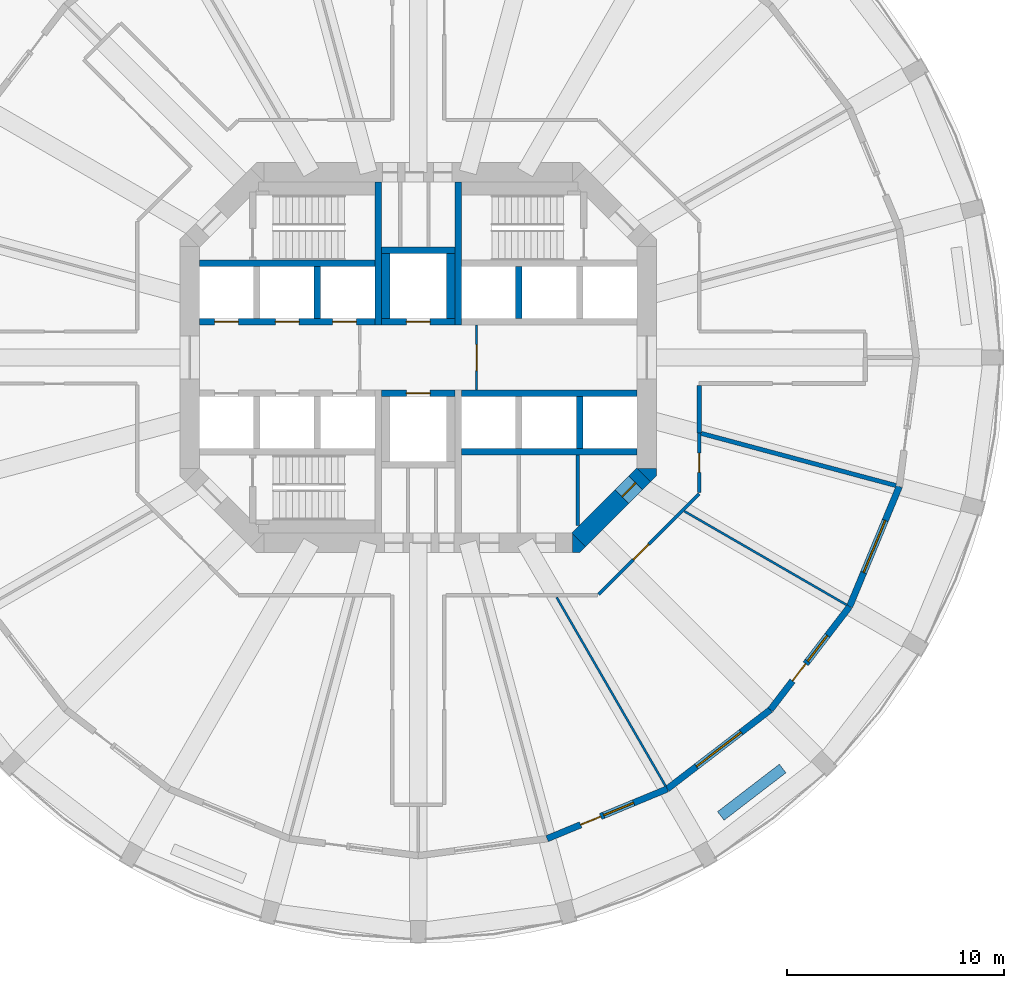
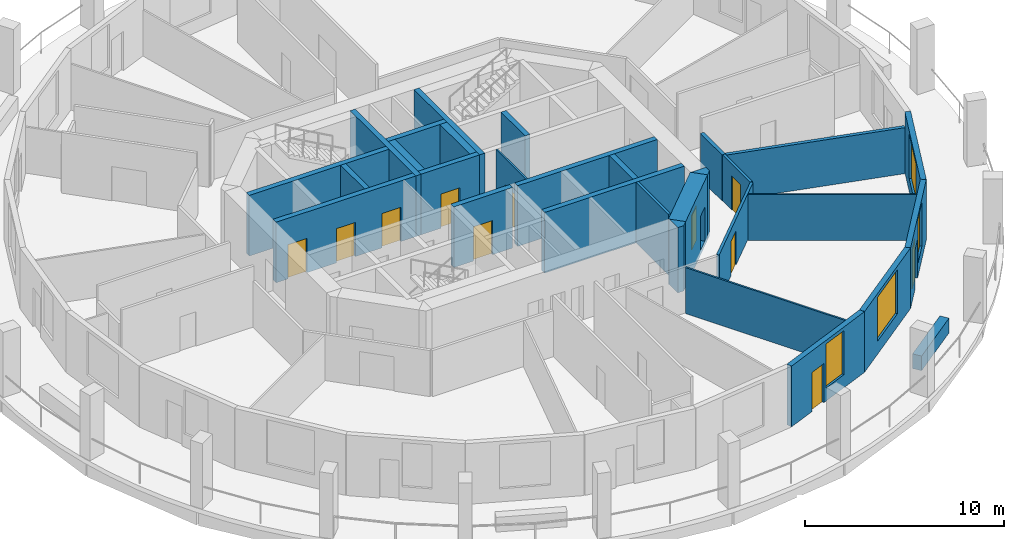
# One storey, part 4 of 9: 30 walls, 11 doors, 4 windows, 15 openings.
"""IFC4 building model written with IfcOpenShell, lengths in metres."""

from ifc_helpers import new_model, si_unit, direction, frame, frame_2d, origin, place, context, subcontext, project, spatial, polyline, rectangle, outline, extrude, material, layer, layer_set, type_object, element, fill, save


model = new_model("IFC4")

# Units and contexts
model_context = context("Model", 3, precision=1e-05, world=origin(), true_north=direction((0.0, 1.0)))
body_context = subcontext(model_context, "Body", "Model", "MODEL_VIEW")
ifc_project = project(units=[si_unit("LENGTHUNIT", "METRE"), si_unit("AREAUNIT", "SQUARE_METRE"), si_unit("VOLUMEUNIT", "CUBIC_METRE"), si_unit("PLANEANGLEUNIT", "RADIAN"), si_unit("MASSUNIT", "GRAM", prefix="KILO")], contexts=[model_context])

# Site, building, storey
site_placement = place(None, origin())
site = spatial("IfcSite", under=ifc_project, at=site_placement, CompositionType="ELEMENT")
building_placement = place(site_placement, origin())
building = spatial("IfcBuilding", under=site, at=building_placement, Name="Torre Triforio", CompositionType="ELEMENT")
storey_placement = place(building_placement, frame((0.0, 0.0, 75.0)))
storey = spatial("IfcBuildingStorey", under=building, at=storey_placement, Name="L16", CompositionType="ELEMENT", Elevation=75.0)

# Walls
ifc_material_1 = material(Name="Concrete C60", Category="concrete")
ifc_layer_1 = layer(ifc_material_1, 0.300048828125)
ifc_layer_set_1 = layer_set([ifc_layer_1], Name="Concrete C60")
wall_type_1 = type_object("IfcWallType", Name="Core wall 300 mm C60 EI 120", PredefinedType="SHEAR", material=ifc_layer_set_1)
for number, where, z_axis, x_axis, name in (
    (1, (-1.85009765625, 1.5, 0.0), (0.0, 0.0, 1.0), (0.0, 1.0, 0.0), "Core wall"),
    (2, (1.85009765625, 1.5, 0.0), (0.0, 0.0, 1.0), (0.0, 1.0, 0.0), "Core wall"),
):
    element("IfcWall", number, at=place(storey_placement, frame(where, z_axis=z_axis, x_axis=x_axis)), inside=storey, type_object=wall_type_1, Name=name, PredefinedType="SHEAR", context=body_context, shape_type="SweptSolid", body=[
        extrude(rectangle(XDim=6.60009765625, YDim=0.300048828125, at=frame_2d((3.300048828125, 0.0))), origin(), (0.0, 0.0, 1.0), 3.719970703125),
    ])

# Wall, opening, door
ifc_layer_2 = layer(ifc_material_1, 0.89990234375)
ifc_layer_set_2 = layer_set([ifc_layer_2], Name="Concrete C60")
wall_type_2 = type_object("IfcWallType", Name="Core wall 900 mm C60 EI 120", PredefinedType="SHEAR", material=ifc_layer_set_2)
wall_1_placement = place(storey_placement, frame((10.418212890625, -5.418212890625, -0.280029296875), z_axis=(0.0, 0.0, 1.0), x_axis=(-0.707106781187, -0.707106781187, 0.0)))
wall_1 = element("IfcWall", 3, at=wall_1_placement, inside=storey, type_object=wall_type_2, Name="Core wall", PredefinedType="SHEAR", context=body_context, shape_type="SweptSolid", body=[
    extrude(rectangle(XDim=4.24267578125, YDim=0.89990234375, at=frame_2d((2.121337890625, 0.0))), origin(), (0.0, 0.0, 1.0), 4.0),
])
opening_1_placement = place(wall_1_placement, frame((0.52001953125, 0.0, 0.280029296875)))
opening_1 = element("IfcOpeningElement", 4, at=opening_1_placement, cuts=wall_1, Name="Opening SE-03", PredefinedType="OPENING", context=body_context, shape_type="SweptSolid", body=[
    extrude(rectangle(XDim=0.89990234375, YDim=2.10009765625, at=frame_2d((0.449951171875, 1.050048828125))), frame((0.0, 0.4599609375, 0.0), z_axis=(0.0, -1.0, 0.0), x_axis=(1.0, 0.0, 0.0)), (0.0, 0.0, 1.0), 0.919921875),
])
ifc_material_2 = material(Name="Hollow metal fire door leaf")
door_type_1 = type_object("IfcDoorType", Name="Room door 900 x 2100 EI 60", OperationType="NOTDEFINED", PredefinedType="DOOR", material=ifc_material_2)
door_1_placement = place(opening_1_placement, origin())
door_1 = element("IfcDoor", 5, at=door_1_placement, inside=storey, type_object=door_type_1, Name="Core door SE-03", OperationType="SINGLE_SWING_RIGHT", OverallHeight=2.10009765625, OverallWidth=0.89990234375, PredefinedType="DOOR", context=body_context, shape_type="SweptSolid", body=[
    extrude(rectangle(XDim=0.89990234375, YDim=2.10009765625, at=frame_2d((0.449951171875, 1.050048828125))), frame((0.0, 0.02490234375, 0.0), z_axis=(0.0, -1.0, 0.0), x_axis=(1.0, 0.0, 0.0)), (0.0, 0.0, 1.0), 0.050048828125),
])
fill(opening_1, door_1)

# Walls
wall_2_placement = place(storey_placement, frame((0.0, 0.0, -0.280029296875)))
element("IfcWall", 6, at=wall_2_placement, inside=storey, type_object=wall_type_2, Name="Core wall", PredefinedType="SHEAR", context=body_context, shape_type="SweptSolid", body=[
    extrude(outline(polyline([(7.472900390625, -9.0), (7.1298828125, -9.0), (7.1298828125, -8.1298828125), (7.736328125, -8.736328125), (7.472900390625, -9.0)])), origin(), (0.0, 0.0, 1.0), 4.0),
])
wall_3_placement = place(storey_placement, frame((0.0, 0.0, -0.280029296875)))
element("IfcWall", 7, at=wall_3_placement, inside=storey, type_object=wall_type_2, Name="Core wall", PredefinedType="SHEAR", context=body_context, shape_type="SweptSolid", body=[
    extrude(outline(polyline([(11.0, -5.472900390625), (10.736328125, -5.736328125), (10.1298828125, -5.1298828125), (11.0, -5.1298828125), (11.0, -5.472900390625)])), origin(), (0.0, 0.0, 1.0), 4.0),
])

# Wall, opening, door
ifc_material_3 = material(Name="Plasterboard on metal studs")
ifc_layer_3 = layer(ifc_material_3, 0.14990234375)
ifc_layer_set_3 = layer_set([ifc_layer_3], Name="Plasterboard on metal studs")
wall_type_3 = type_object("IfcWallType", Name="Corridor and tenancy wall 150 mm EI 60", PredefinedType="PARTITIONING", material=ifc_layer_set_3)
wall_4_placement = place(storey_placement, frame((12.97509765625, -3.4765625, 0.0), z_axis=(0.0, 0.0, 1.0), x_axis=(0.0, -1.0, 0.0)))
wall_4 = element("IfcWall", 8, at=wall_4_placement, inside=storey, type_object=wall_type_3, Name="Partition 24", PredefinedType="PARTITIONING", context=body_context, shape_type="SweptSolid", body=[
    extrude(rectangle(XDim=2.76171875, YDim=0.14990234375, at=frame_2d((1.380859375, 0.0))), origin(), (0.0, 0.0, 1.0), 2.820068359375),
])
opening_2_placement = place(wall_4_placement, frame((0.930908203125, 0.0, 0.0)))
opening_2 = element("IfcOpeningElement", 9, at=opening_2_placement, cuts=wall_4, Name="Opening N5-13", PredefinedType="OPENING", context=body_context, shape_type="SweptSolid", body=[
    extrude(rectangle(XDim=0.89990234375, YDim=2.10009765625, at=frame_2d((0.449951171875, 1.050048828125))), frame((0.0, 0.0849609375, 0.0), z_axis=(0.0, -1.0, 0.0), x_axis=(1.0, 0.0, 0.0)), (0.0, 0.0, 1.0), 0.169921875),
])
ifc_material_4 = material(Name="Timber", Category="wood")
door_type_2 = type_object("IfcDoorType", Name="Door 900 x 2100 single leaf EI 30", OperationType="NOTDEFINED", PredefinedType="DOOR", material=ifc_material_4)
door_2_placement = place(opening_2_placement, origin())
door_2 = element("IfcDoor", 10, at=door_2_placement, inside=storey, type_object=door_type_2, Name="Door N5-13", OperationType="SINGLE_SWING_LEFT", OverallHeight=2.10009765625, OverallWidth=0.89990234375, PredefinedType="DOOR", context=body_context, shape_type="SweptSolid", body=[
    extrude(rectangle(XDim=0.89990234375, YDim=2.10009765625, at=frame_2d((0.449951171875, 1.050048828125))), frame((0.0, 0.02490234375, 0.0), z_axis=(0.0, -1.0, 0.0), x_axis=(1.0, 0.0, 0.0)), (0.0, 0.0, 1.0), 0.050048828125),
])
fill(opening_2, door_2)

wall_5_placement = place(storey_placement, frame((12.97509765625, -6.291015625, 0.0), z_axis=(0.0, 0.0, 1.0), x_axis=(-0.707125355289, -0.707088206597, 0.0)))
wall_5 = element("IfcWall", 11, at=wall_5_placement, inside=storey, type_object=wall_type_3, Name="Partition 25", PredefinedType="PARTITIONING", context=body_context, shape_type="SweptSolid", body=[
    extrude(rectangle(XDim=6.572021484375, YDim=0.14990234375, at=frame_2d((3.2861328125, 0.0))), origin(), (0.0, 0.0, 1.0), 2.820068359375),
])
opening_3_placement = place(wall_5_placement, frame((3.298095703125, 0.0, 0.0)))
opening_3 = element("IfcOpeningElement", 12, at=opening_3_placement, cuts=wall_5, Name="Opening N5-12", PredefinedType="OPENING", context=body_context, shape_type="SweptSolid", body=[
    extrude(rectangle(XDim=1.0, YDim=2.10009765625, at=frame_2d((0.5, 1.050048828125))), frame((0.0, 0.0849609375, 0.0), z_axis=(0.0, -1.0, 0.0), x_axis=(1.0, 0.0, 0.0)), (0.0, 0.0, 1.0), 0.169921875),
])
door_type_3 = type_object("IfcDoorType", Name="Door 1000 x 2100 single leaf EI 30", OperationType="NOTDEFINED", PredefinedType="DOOR", material=ifc_material_4)
door_3_placement = place(opening_3_placement, origin())
door_3 = element("IfcDoor", 13, at=door_3_placement, inside=storey, type_object=door_type_3, Name="Door N5-12", OperationType="SINGLE_SWING_RIGHT", OverallHeight=2.10009765625, OverallWidth=1.0, PredefinedType="DOOR", context=body_context, shape_type="SweptSolid", body=[
    extrude(rectangle(XDim=1.0, YDim=2.10009765625, at=frame_2d((0.5, 1.050048828125))), frame((0.0, 0.02490234375, 0.0), z_axis=(0.0, -1.0, 0.0), x_axis=(1.0, 0.0, 0.0)), (0.0, 0.0, 1.0), 0.050048828125),
])
fill(opening_3, door_3)

ifc_material_5 = material(Name="Block and board partition")
ifc_layer_4 = layer(ifc_material_5, 0.10009765625)
ifc_layer_set_4 = layer_set([ifc_layer_4], Name="Block and board partition")
wall_type_4 = type_object("IfcWallType", Name="Partition 100 mm EI 120", PredefinedType="PARTITIONING", material=ifc_layer_set_4)
wall_6_placement = place(storey_placement, frame((2.699951171875, -1.5, 0.0), z_axis=(0.0, 0.0, 1.0), x_axis=(0.0, 1.0, 0.0)))
wall_6 = element("IfcWall", 14, at=wall_6_placement, inside=storey, type_object=wall_type_4, Name="Partition", PredefinedType="PARTITIONING", context=body_context, shape_type="SweptSolid", body=[
    extrude(rectangle(XDim=3.0, YDim=0.10009765625, at=frame_2d((1.5, 0.0))), origin(), (0.0, 0.0, 1.0), 3.719970703125),
])
opening_4_placement = place(wall_6_placement, frame((0.89990234375, 0.0, 0.0)))
opening_4 = element("IfcOpeningElement", 15, at=opening_4_placement, cuts=wall_6, Name="Opening FF-E", PredefinedType="OPENING", context=body_context, shape_type="SweptSolid", body=[
    extrude(rectangle(XDim=1.199951171875, YDim=2.10009765625, at=frame_2d((0.60009765625, 1.050048828125))), frame((0.0, 0.06005859375, 0.0), z_axis=(0.0, -1.0, 0.0), x_axis=(1.0, 0.0, 0.0)), (0.0, 0.0, 1.0), 0.1201171875),
])
door_type_4 = type_object("IfcDoorType", Name="Fire-fighting lobby door 1200 x 2100 EI 60", OperationType="NOTDEFINED", PredefinedType="DOOR", material=ifc_material_2)
door_4_placement = place(opening_4_placement, origin())
door_4 = element("IfcDoor", 16, at=door_4_placement, inside=storey, type_object=door_type_4, Name="Core door FF-E", OperationType="SINGLE_SWING_LEFT", OverallHeight=2.10009765625, OverallWidth=1.199951171875, PredefinedType="DOOR", context=body_context, shape_type="SweptSolid", body=[
    extrude(rectangle(XDim=1.199951171875, YDim=2.10009765625, at=frame_2d((0.60009765625, 1.050048828125))), frame((0.0, 0.02490234375, 0.0), z_axis=(0.0, -1.0, 0.0), x_axis=(1.0, 0.0, 0.0)), (0.0, 0.0, 1.0), 0.050048828125),
])
fill(opening_4, door_4)

# Walls
ifc_layer_5 = layer(ifc_material_3, 0.10009765625)
ifc_layer_set_5 = layer_set([ifc_layer_5], Name="Plasterboard on metal studs")
wall_type_5 = type_object("IfcWallType", Name="Partition 100 mm board on metal studs", PredefinedType="PARTITIONING", material=ifc_layer_set_5)
wall_7_placement = place(storey_placement, frame((6.393798828125, -11.07470703125, 0.0), z_axis=(0.0, 0.0, 1.0), x_axis=(0.500024592647, -0.866011204747, 0.0)))
element("IfcWall", 17, at=wall_7_placement, inside=storey, type_object=wall_type_5, Name="Partition 44", PredefinedType="PARTITIONING", context=body_context, shape_type="SweptSolid", body=[
    extrude(rectangle(XDim=10.048828125, YDim=0.10009765625, at=frame_2d((5.0244140625, 0.0))), origin(), (0.0, 0.0, 1.0), 2.820068359375),
])
wall_8_placement = place(storey_placement, frame((12.294189453125, -7.097900390625, 0.0), z_axis=(0.0, 0.0, 1.0), x_axis=(0.866010547425, -0.500025731086, 0.0)))
element("IfcWall", 18, at=wall_8_placement, inside=storey, type_object=wall_type_5, Name="Partition 45", PredefinedType="PARTITIONING", context=body_context, shape_type="SweptSolid", body=[
    extrude(rectangle(XDim=8.640625, YDim=0.10009765625, at=frame_2d((4.3203125, 0.0))), origin(), (0.0, 0.0, 1.0), 2.820068359375),
])
ifc_layer_6 = layer(ifc_material_5, 0.14990234375)
ifc_layer_set_6 = layer_set([ifc_layer_6], Name="Block and board partition")
wall_type_6 = type_object("IfcWallType", Name="Partition 150 mm", PredefinedType="PARTITIONING", material=ifc_layer_set_6)
wall_9_placement = place(storey_placement, frame((7.373046875, -7.751953125, 0.0), z_axis=(0.0, 0.0, 1.0), x_axis=(0.0, 1.0, 0.0)))
element("IfcWall", 19, at=wall_9_placement, inside=storey, type_object=wall_type_6, Name="Partition", PredefinedType="PARTITIONING", context=body_context, shape_type="SweptSolid", body=[
    extrude(rectangle(XDim=3.251953125, YDim=0.14990234375, at=frame_2d((1.6259765625, 0.0))), origin(), (0.0, 0.0, 1.0), 3.719970703125),
])
ifc_material_6 = material(Name="Masonry block", Category="masonry")
ifc_layer_7 = layer(ifc_material_6, 0.199951171875)
ifc_layer_set_7 = layer_set([ifc_layer_7], Name="Masonry block")
wall_type_7 = type_object("IfcWallType", Name="Plant room wall 200 mm block EI 120", PredefinedType="PARTITIONING", material=ifc_layer_set_7)
wall_10_placement = place(storey_placement, frame((12.97509765625, -1.300048828125, 0.0), z_axis=(0.0, 0.0, 1.0), x_axis=(0.0, -1.0, 0.0)))
element("IfcWall", 20, at=wall_10_placement, inside=storey, type_object=wall_type_7, Name="Partition 23", PredefinedType="PARTITIONING", context=body_context, shape_type="SweptSolid", body=[
    extrude(rectangle(XDim=2.176513671875, YDim=0.199951171875, at=frame_2d((1.08837890625, 0.0))), origin(), (0.0, 0.0, 1.0), 2.820068359375),
])
wall_11_placement = place(storey_placement, frame((13.076416015625, -3.50390625, 0.0), z_axis=(0.0, 0.0, 1.0), x_axis=(0.965926605639, -0.258816136511, 0.0)))
element("IfcWall", 21, at=wall_11_placement, inside=storey, type_object=wall_type_7, Name="Partition 46", PredefinedType="PARTITIONING", context=body_context, shape_type="SweptSolid", body=[
    extrude(rectangle(XDim=9.299072265625, YDim=0.199951171875, at=frame_2d((4.6494140625, 0.0))), origin(), (0.0, 0.0, 1.0), 2.820068359375),
])
ifc_material_7 = material(Name="Limestone cladding", Category="masonry")
ifc_layer_8 = layer(ifc_material_7, 0.10009765625)
ifc_material_8 = material(Name="Concrete C40", Category="concrete")
ifc_layer_9 = layer(ifc_material_8, 0.39990234375)
ifc_layer_set_8 = layer_set([ifc_layer_8, ifc_layer_9], Name="Limestone cladding / Concrete C40")
wall_type_8 = type_object("IfcWallType", Name="Planter wall 500", PredefinedType="PARAPET", material=ifc_layer_set_8)
wall_12_placement = place(storey_placement, frame((13.9736328125, -21.16748046875, 0.0), z_axis=(0.0, 0.0, 1.0), x_axis=(0.793359599829, 0.608753271334, 0.0)))
element("IfcWall", 22, at=wall_12_placement, inside=storey, type_object=wall_type_8, Name="Planter L16 bay 21", PredefinedType="PARAPET", context=body_context, shape_type="SweptSolid", body=[
    extrude(rectangle(XDim=3.599853515625, YDim=0.5, at=frame_2d((1.7998046875, 0.0))), origin(), (0.0, 0.0, 1.0), 0.89990234375),
])
ifc_layer_10 = layer(ifc_material_1, 0.300048828125)
ifc_layer_set_9 = layer_set([ifc_layer_10], Name="Concrete C60")
wall_type_9 = type_object("IfcWallType", Name="Shaft wall 300 mm C60 EI 120", PredefinedType="SOLIDWALL", material=ifc_layer_set_9)
for number, where, z_axis, x_axis, name in (
    (23, (-10.10009765625, 4.35009765625, 0.0), (0.0, 0.0, 1.0), (1.0, 0.0, 0.0), "Shaft wall"),
    (24, (2.0, -4.35009765625, 0.0), (0.0, 0.0, 1.0), (1.0, 0.0, 0.0), "Shaft wall"),
):
    element("IfcWall", number, at=place(storey_placement, frame(where, z_axis=z_axis, x_axis=x_axis)), inside=storey, type_object=wall_type_9, Name=name, PredefinedType="SOLIDWALL", context=body_context, shape_type="SweptSolid", body=[
        extrude(rectangle(XDim=8.10009765625, YDim=0.300048828125, at=frame_2d((4.050048828125, 0.0))), origin(), (0.0, 0.0, 1.0), 3.719970703125),
    ])

# Wall, openings, doors
wall_13_placement = place(storey_placement, frame((-10.10009765625, 1.64990234375, 0.0), z_axis=(0.0, 0.0, 1.0), x_axis=(1.0, 0.0, 0.0)))
wall_13 = element("IfcWall", 25, at=wall_13_placement, inside=storey, type_object=wall_type_9, Name="Shaft wall", PredefinedType="SOLIDWALL", context=body_context, shape_type="SweptSolid", body=[
    extrude(rectangle(XDim=8.10009765625, YDim=0.300048828125, at=frame_2d((4.050048828125, 0.0))), origin(), (0.0, 0.0, 1.0), 3.719970703125),
])
opening_5_placement = place(wall_13_placement, frame((0.699951171875, 0.0, 0.0)))
opening_5 = element("IfcOpeningElement", 26, at=opening_5_placement, cuts=wall_13, Name="Opening LD", PredefinedType="OPENING", context=body_context, shape_type="SweptSolid", body=[
    extrude(rectangle(XDim=1.10009765625, YDim=2.10009765625, at=frame_2d((0.550048828125, 1.050048828125))), frame((0.0, 0.159912109375, 0.0), z_axis=(0.0, -1.0, 0.0), x_axis=(1.0, 0.0, 0.0)), (0.0, 0.0, 1.0), 0.320068359375),
])
opening_6_placement = place(wall_13_placement, frame((3.5, 0.0, 0.0)))
opening_6 = element("IfcOpeningElement", 27, at=opening_6_placement, cuts=wall_13, Name="Opening LD", PredefinedType="OPENING", context=body_context, shape_type="SweptSolid", body=[
    extrude(rectangle(XDim=1.10009765625, YDim=2.10009765625, at=frame_2d((0.550048828125, 1.050048828125))), frame((0.0, 0.159912109375, 0.0), z_axis=(0.0, -1.0, 0.0), x_axis=(1.0, 0.0, 0.0)), (0.0, 0.0, 1.0), 0.320068359375),
])
opening_7_placement = place(wall_13_placement, frame((6.14990234375, 0.0, 0.0)))
opening_7 = element("IfcOpeningElement", 28, at=opening_7_placement, cuts=wall_13, Name="Opening LD", PredefinedType="OPENING", context=body_context, shape_type="SweptSolid", body=[
    extrude(rectangle(XDim=1.10009765625, YDim=2.10009765625, at=frame_2d((0.550048828125, 1.050048828125))), frame((0.0, 0.159912109375, 0.0), z_axis=(0.0, -1.0, 0.0), x_axis=(1.0, 0.0, 0.0)), (0.0, 0.0, 1.0), 0.320068359375),
])
door_type_5 = type_object("IfcDoorType", Name="Landing door 1100 x 2100 EI 60", OperationType="DOUBLE_DOOR_SLIDING", PredefinedType="DOOR", material=ifc_material_2)
door_5_placement = place(opening_5_placement, origin())
door_5 = element("IfcDoor", 29, at=door_5_placement, inside=storey, type_object=door_type_5, Name="Landing door LR1", OperationType="DOUBLE_DOOR_SLIDING", OverallHeight=2.10009765625, OverallWidth=1.10009765625, PredefinedType="DOOR", context=body_context, shape_type="SweptSolid", body=[
    extrude(rectangle(XDim=1.10009765625, YDim=2.10009765625, at=frame_2d((0.550048828125, 1.050048828125))), frame((0.0, 0.02490234375, 0.0), z_axis=(0.0, -1.0, 0.0), x_axis=(1.0, 0.0, 0.0)), (0.0, 0.0, 1.0), 0.050048828125),
])
fill(opening_5, door_5)
door_6_placement = place(opening_6_placement, origin())
door_6 = element("IfcDoor", 30, at=door_6_placement, inside=storey, type_object=door_type_5, Name="Landing door LR2", OperationType="DOUBLE_DOOR_SLIDING", OverallHeight=2.10009765625, OverallWidth=1.10009765625, PredefinedType="DOOR", context=body_context, shape_type="SweptSolid", body=[
    extrude(rectangle(XDim=1.10009765625, YDim=2.10009765625, at=frame_2d((0.550048828125, 1.050048828125))), frame((0.0, 0.02490234375, 0.0), z_axis=(0.0, -1.0, 0.0), x_axis=(1.0, 0.0, 0.0)), (0.0, 0.0, 1.0), 0.050048828125),
])
fill(opening_6, door_6)
door_7_placement = place(opening_7_placement, origin())
door_7 = element("IfcDoor", 31, at=door_7_placement, inside=storey, type_object=door_type_5, Name="Landing door LR3", OperationType="DOUBLE_DOOR_SLIDING", OverallHeight=2.10009765625, OverallWidth=1.10009765625, PredefinedType="DOOR", context=body_context, shape_type="SweptSolid", body=[
    extrude(rectangle(XDim=1.10009765625, YDim=2.10009765625, at=frame_2d((0.550048828125, 1.050048828125))), frame((0.0, 0.02490234375, 0.0), z_axis=(0.0, -1.0, 0.0), x_axis=(1.0, 0.0, 0.0)), (0.0, 0.0, 1.0), 0.050048828125),
])
fill(opening_7, door_7)

# Walls
wall_14_placement = place(storey_placement, frame((2.0, -1.64990234375, 0.0), z_axis=(0.0, 0.0, 1.0), x_axis=(1.0, 0.0, 0.0)))
element("IfcWall", 32, at=wall_14_placement, inside=storey, type_object=wall_type_9, Name="Shaft wall", PredefinedType="SOLIDWALL", context=body_context, shape_type="SweptSolid", body=[
    extrude(rectangle(XDim=8.10009765625, YDim=0.300048828125, at=frame_2d((4.050048828125, 0.0))), origin(), (0.0, 0.0, 1.0), 3.719970703125),
])
for number, where, z_axis, x_axis, name in (
    (33, (-4.64990234375, 1.800048828125, 0.0), (0.0, 0.0, 1.0), (0.0, 1.0, 0.0), "Shaft wall"),
    (34, (4.64990234375, 1.800048828125, 0.0), (0.0, 0.0, 1.0), (0.0, 1.0, 0.0), "Shaft wall"),
    (35, (7.449951171875, -4.199951171875, 0.0), (0.0, 0.0, 1.0), (0.0, 1.0, 0.0), "Shaft wall"),
):
    element("IfcWall", number, at=place(storey_placement, frame(where, z_axis=z_axis, x_axis=x_axis)), inside=storey, type_object=wall_type_9, Name=name, PredefinedType="SOLIDWALL", context=body_context, shape_type="SweptSolid", body=[
        extrude(rectangle(XDim=2.39990234375, YDim=0.300048828125, at=frame_2d((1.199951171875, 0.0))), origin(), (0.0, 0.0, 1.0), 3.719970703125),
    ])

# Wall, opening, door
wall_15_placement = place(storey_placement, frame((-1.699951171875, 1.64990234375, 0.0), z_axis=(0.0, 0.0, 1.0), x_axis=(1.0, 0.0, 0.0)))
wall_15 = element("IfcWall", 36, at=wall_15_placement, inside=storey, type_object=wall_type_9, Name="Shaft wall", PredefinedType="SOLIDWALL", context=body_context, shape_type="SweptSolid", body=[
    extrude(rectangle(XDim=3.39990234375, YDim=0.300048828125, at=frame_2d((1.699951171875, 0.0))), origin(), (0.0, 0.0, 1.0), 3.719970703125),
])
opening_8_placement = place(wall_15_placement, frame((1.14990234375, 0.0, 0.0)))
opening_8 = element("IfcOpeningElement", 37, at=opening_8_placement, cuts=wall_15, Name="Opening LD", PredefinedType="OPENING", context=body_context, shape_type="SweptSolid", body=[
    extrude(rectangle(XDim=1.10009765625, YDim=2.10009765625, at=frame_2d((0.550048828125, 1.050048828125))), frame((0.0, 0.159912109375, 0.0), z_axis=(0.0, -1.0, 0.0), x_axis=(1.0, 0.0, 0.0)), (0.0, 0.0, 1.0), 0.320068359375),
])
door_8_placement = place(opening_8_placement, origin())
door_8 = element("IfcDoor", 38, at=door_8_placement, inside=storey, type_object=door_type_5, Name="Landing door FFL1", OperationType="DOUBLE_DOOR_SLIDING", OverallHeight=2.10009765625, OverallWidth=1.10009765625, PredefinedType="DOOR", context=body_context, shape_type="SweptSolid", body=[
    extrude(rectangle(XDim=1.10009765625, YDim=2.10009765625, at=frame_2d((0.550048828125, 1.050048828125))), frame((0.0, 0.02490234375, 0.0), z_axis=(0.0, -1.0, 0.0), x_axis=(1.0, 0.0, 0.0)), (0.0, 0.0, 1.0), 0.050048828125),
])
fill(opening_8, door_8)

wall_16_placement = place(storey_placement, frame((-1.699951171875, -1.64990234375, 0.0), z_axis=(0.0, 0.0, 1.0), x_axis=(1.0, 0.0, 0.0)))
wall_16 = element("IfcWall", 39, at=wall_16_placement, inside=storey, type_object=wall_type_9, Name="Shaft wall", PredefinedType="SOLIDWALL", context=body_context, shape_type="SweptSolid", body=[
    extrude(rectangle(XDim=3.39990234375, YDim=0.300048828125, at=frame_2d((1.699951171875, 0.0))), origin(), (0.0, 0.0, 1.0), 3.719970703125),
])
opening_9_placement = place(wall_16_placement, frame((1.14990234375, 0.0, 0.0)))
opening_9 = element("IfcOpeningElement", 40, at=opening_9_placement, cuts=wall_16, Name="Opening LD", PredefinedType="OPENING", context=body_context, shape_type="SweptSolid", body=[
    extrude(rectangle(XDim=1.10009765625, YDim=2.10009765625, at=frame_2d((0.550048828125, 1.050048828125))), frame((0.0, 0.159912109375, 0.0), z_axis=(0.0, -1.0, 0.0), x_axis=(1.0, 0.0, 0.0)), (0.0, 0.0, 1.0), 0.320068359375),
])
door_9_placement = place(opening_9_placement, origin())
door_9 = element("IfcDoor", 41, at=door_9_placement, inside=storey, type_object=door_type_5, Name="Landing door FFL2", OperationType="DOUBLE_DOOR_SLIDING", OverallHeight=2.10009765625, OverallWidth=1.10009765625, PredefinedType="DOOR", context=body_context, shape_type="SweptSolid", body=[
    extrude(rectangle(XDim=1.10009765625, YDim=2.10009765625, at=frame_2d((0.550048828125, 1.050048828125))), frame((0.0, 0.02490234375, 0.0), z_axis=(0.0, -1.0, 0.0), x_axis=(1.0, 0.0, 0.0)), (0.0, 0.0, 1.0), 0.050048828125),
])
fill(opening_9, door_9)

# Walls
wall_17_placement = place(storey_placement, frame((-1.699951171875, 4.949951171875, 0.0), z_axis=(0.0, 0.0, 1.0), x_axis=(1.0, 0.0, 0.0)))
element("IfcWall", 42, at=wall_17_placement, inside=storey, type_object=wall_type_9, Name="Shaft wall", PredefinedType="SOLIDWALL", context=body_context, shape_type="SweptSolid", body=[
    extrude(rectangle(XDim=3.39990234375, YDim=0.300048828125, at=frame_2d((1.699951171875, 0.0))), origin(), (0.0, 0.0, 1.0), 3.719970703125),
])
ifc_layer_11 = layer(ifc_material_1, 0.39990234375)
ifc_layer_set_10 = layer_set([ifc_layer_11], Name="Concrete C60")
wall_type_10 = type_object("IfcWallType", Name="Shaft wall 400 mm C60 EI 120", PredefinedType="SOLIDWALL", material=ifc_layer_set_10)
for number, where, z_axis, x_axis, name in (
    (43, (-1.5, 1.800048828125, 0.0), (0.0, 0.0, 1.0), (0.0, 1.0, 0.0), "Shaft wall"),
    (44, (1.5, 1.800048828125, 0.0), (0.0, 0.0, 1.0), (0.0, 1.0, 0.0), "Shaft wall"),
):
    element("IfcWall", number, at=place(storey_placement, frame(where, z_axis=z_axis, x_axis=x_axis)), inside=storey, type_object=wall_type_10, Name=name, PredefinedType="SOLIDWALL", context=body_context, shape_type="SweptSolid", body=[
        extrude(rectangle(XDim=3.0, YDim=0.39990234375, at=frame_2d((1.5, 0.0))), origin(), (0.0, 0.0, 1.0), 3.719970703125),
    ])

# Wall, openings, door, window
ifc_layer_12 = layer(ifc_material_7, 0.10009765625)
ifc_layer_13 = layer(ifc_material_8, 0.199951171875)
ifc_layer_set_11 = layer_set([ifc_layer_12, ifc_layer_13], Name="Limestone cladding / Concrete C40")
wall_type_11 = type_object("IfcWallType", Name="Stone-faced composite wall 300", PredefinedType="STANDARD", material=ifc_layer_set_11)
wall_18_placement = place(storey_placement, frame((5.952880859375, -22.21630859375, 0.0), z_axis=(0.0, 0.0, 1.0), x_axis=(0.923884511653, 0.382671411433, 0.0)))
wall_18 = element("IfcWall", 45, at=wall_18_placement, inside=storey, type_object=wall_type_11, Name="External wall L16 bay 20", PredefinedType="STANDARD", context=body_context, shape_type="SweptSolid", body=[
    extrude(rectangle(XDim=6.004150390625, YDim=0.300048828125, at=frame_2d((3.001953125, 0.0))), origin(), (0.0, 0.0, 1.0), 3.719970703125),
])
opening_10_placement = place(wall_18_placement, frame((1.677001953125, 0.0, 0.0)))
opening_10 = element("IfcOpeningElement", 46, at=opening_10_placement, cuts=wall_18, Name="Opening N5-D20", PredefinedType="OPENING", context=body_context, shape_type="SweptSolid", body=[
    extrude(rectangle(XDim=1.0, YDim=2.39990234375, at=frame_2d((0.5, 1.199951171875))), frame((0.0, 0.159912109375, 0.0), z_axis=(0.0, -1.0, 0.0), x_axis=(1.0, 0.0, 0.0)), (0.0, 0.0, 1.0), 0.320068359375),
])
opening_11_placement = place(wall_18_placement, frame((2.8271484375, 0.0, 0.800048828125)))
opening_11 = element("IfcOpeningElement", 47, at=opening_11_placement, cuts=wall_18, Name="Opening N5-W20A", PredefinedType="OPENING", context=body_context, shape_type="SweptSolid", body=[
    extrude(rectangle(XDim=1.5, YDim=2.699951171875, at=frame_2d((0.75, 1.35009765625))), frame((0.0, 0.159912109375, 0.0), z_axis=(0.0, -1.0, 0.0), x_axis=(1.0, 0.0, 0.0)), (0.0, 0.0, 1.0), 0.320068359375),
])
ifc_material_9 = material(Name="Aluminium frame with clear double glazing", Category="aluminium")
door_type_6 = type_object("IfcDoorType", Name="Loggia door 1000 x 2400", OperationType="NOTDEFINED", PredefinedType="DOOR", material=ifc_material_9)
door_10_placement = place(opening_10_placement, origin())
door_10 = element("IfcDoor", 48, at=door_10_placement, inside=storey, type_object=door_type_6, Name="Loggia door L16 bay 20", OperationType="SINGLE_SWING_LEFT", OverallHeight=2.39990234375, OverallWidth=1.0, PredefinedType="DOOR", context=body_context, shape_type="SweptSolid", body=[
    extrude(rectangle(XDim=1.0, YDim=2.39990234375, at=frame_2d((0.5, 1.199951171875))), frame((0.0, 0.02490234375, 0.0), z_axis=(0.0, -1.0, 0.0), x_axis=(1.0, 0.0, 0.0)), (0.0, 0.0, 1.0), 0.050048828125),
])
fill(opening_10, door_10)
window_type_1 = type_object("IfcWindowType", Name="Side window 1500 x 2700", PartitioningType="SINGLE_PANEL", PredefinedType="WINDOW", material=ifc_material_9)
window_1_placement = place(opening_11_placement, origin())
window_1 = element("IfcWindow", 49, at=window_1_placement, inside=storey, type_object=window_type_1, Name="Side window EWN12 L16 bay 20", OverallHeight=2.699951171875, OverallWidth=1.5, PartitioningType="SINGLE_PANEL", PredefinedType="WINDOW", context=body_context, shape_type="SweptSolid", body=[
    extrude(rectangle(XDim=1.5, YDim=2.699951171875, at=frame_2d((0.75, 1.35009765625))), frame((0.0, 0.030029296875, 0.0), z_axis=(0.0, -1.0, 0.0), x_axis=(1.0, 0.0, 0.0)), (0.0, 0.0, 1.0), 0.06005859375),
])
fill(opening_11, window_1)

# Wall, opening, window
wall_19_placement = place(storey_placement, frame((11.5, -19.918701171875, 0.0), z_axis=(0.0, 0.0, 1.0), x_axis=(0.793339924758, 0.608778912074, 0.0)))
wall_19 = element("IfcWall", 50, at=wall_19_placement, inside=storey, type_object=wall_type_11, Name="External wall L16 bay 21", PredefinedType="STANDARD", context=body_context, shape_type="SweptSolid", body=[
    extrude(rectangle(XDim=6.004150390625, YDim=0.300048828125, at=frame_2d((3.001953125, 0.0))), origin(), (0.0, 0.0, 1.0), 3.719970703125),
])
opening_12_placement = place(wall_19_placement, frame((1.7021484375, 0.0, 0.800048828125)))
opening_12 = element("IfcOpeningElement", 51, at=opening_12_placement, cuts=wall_19, Name="Opening N5-W21", PredefinedType="OPENING", context=body_context, shape_type="SweptSolid", body=[
    extrude(rectangle(XDim=2.60009765625, YDim=2.699951171875, at=frame_2d((1.300048828125, 1.35009765625))), frame((0.0, 0.159912109375, 0.0), z_axis=(0.0, -1.0, 0.0), x_axis=(1.0, 0.0, 0.0)), (0.0, 0.0, 1.0), 0.320068359375),
])
window_type_2 = type_object("IfcWindowType", Name="Punched window 2600 x 2700", PartitioningType="DOUBLE_PANEL_VERTICAL", PredefinedType="WINDOW", material=ifc_material_9)
window_2_placement = place(opening_12_placement, origin())
window_2 = element("IfcWindow", 52, at=window_2_placement, inside=storey, type_object=window_type_2, Name="Window EWN2 L16 bay 21", OverallHeight=2.699951171875, OverallWidth=2.60009765625, PartitioningType="SINGLE_PANEL", PredefinedType="WINDOW", context=body_context, shape_type="SweptSolid", body=[
    extrude(rectangle(XDim=2.60009765625, YDim=2.699951171875, at=frame_2d((1.300048828125, 1.35009765625))), frame((0.0, 0.030029296875, 0.0), z_axis=(0.0, -1.0, 0.0), x_axis=(1.0, 0.0, 0.0)), (0.0, 0.0, 1.0), 0.06005859375),
])
fill(opening_12, window_2)

# Wall, openings, door, window
wall_20_placement = place(storey_placement, frame((16.263427734375, -16.263427734375, 0.0), z_axis=(0.0, 0.0, 1.0), x_axis=(0.608778912074, 0.793339924758, 0.0)))
wall_20 = element("IfcWall", 53, at=wall_20_placement, inside=storey, type_object=wall_type_11, Name="External wall L16 bay 22", PredefinedType="STANDARD", context=body_context, shape_type="SweptSolid", body=[
    extrude(rectangle(XDim=6.004150390625, YDim=0.300048828125, at=frame_2d((3.001953125, 0.0))), origin(), (0.0, 0.0, 1.0), 3.719970703125),
])
opening_13_placement = place(wall_20_placement, frame((1.677001953125, 0.0, 0.0)))
opening_13 = element("IfcOpeningElement", 54, at=opening_13_placement, cuts=wall_20, Name="Opening N5-D22", PredefinedType="OPENING", context=body_context, shape_type="SweptSolid", body=[
    extrude(rectangle(XDim=1.0, YDim=2.39990234375, at=frame_2d((0.5, 1.199951171875))), frame((0.0, 0.159912109375, 0.0), z_axis=(0.0, -1.0, 0.0), x_axis=(1.0, 0.0, 0.0)), (0.0, 0.0, 1.0), 0.320068359375),
])
opening_14_placement = place(wall_20_placement, frame((2.8271484375, 0.0, 0.800048828125)))
opening_14 = element("IfcOpeningElement", 55, at=opening_14_placement, cuts=wall_20, Name="Opening N5-W22A", PredefinedType="OPENING", context=body_context, shape_type="SweptSolid", body=[
    extrude(rectangle(XDim=1.5, YDim=2.699951171875, at=frame_2d((0.75, 1.35009765625))), frame((0.0, 0.159912109375, 0.0), z_axis=(0.0, -1.0, 0.0), x_axis=(1.0, 0.0, 0.0)), (0.0, 0.0, 1.0), 0.320068359375),
])
door_11_placement = place(opening_13_placement, origin())
door_11 = element("IfcDoor", 56, at=door_11_placement, inside=storey, type_object=door_type_6, Name="Loggia door L16 bay 22", OperationType="SINGLE_SWING_LEFT", OverallHeight=2.39990234375, OverallWidth=1.0, PredefinedType="DOOR", context=body_context, shape_type="SweptSolid", body=[
    extrude(rectangle(XDim=1.0, YDim=2.39990234375, at=frame_2d((0.5, 1.199951171875))), frame((0.0, 0.02490234375, 0.0), z_axis=(0.0, -1.0, 0.0), x_axis=(1.0, 0.0, 0.0)), (0.0, 0.0, 1.0), 0.050048828125),
])
fill(opening_13, door_11)
window_3_placement = place(opening_14_placement, origin())
window_3 = element("IfcWindow", 57, at=window_3_placement, inside=storey, type_object=window_type_1, Name="Side window EWN12 L16 bay 22", OverallHeight=2.699951171875, OverallWidth=1.5, PartitioningType="SINGLE_PANEL", PredefinedType="WINDOW", context=body_context, shape_type="SweptSolid", body=[
    extrude(rectangle(XDim=1.5, YDim=2.699951171875, at=frame_2d((0.75, 1.35009765625))), frame((0.0, 0.030029296875, 0.0), z_axis=(0.0, -1.0, 0.0), x_axis=(1.0, 0.0, 0.0)), (0.0, 0.0, 1.0), 0.06005859375),
])
fill(opening_14, window_3)

# Wall, opening, window
wall_21_placement = place(storey_placement, frame((19.918701171875, -11.5, 0.0), z_axis=(0.0, 0.0, 1.0), x_axis=(0.382671411433, 0.923884511653, 0.0)))
wall_21 = element("IfcWall", 58, at=wall_21_placement, inside=storey, type_object=wall_type_11, Name="External wall L16 bay 23", PredefinedType="STANDARD", context=body_context, shape_type="SweptSolid", body=[
    extrude(rectangle(XDim=6.004150390625, YDim=0.300048828125, at=frame_2d((3.001953125, 0.0))), origin(), (0.0, 0.0, 1.0), 3.719970703125),
])
opening_15_placement = place(wall_21_placement, frame((1.7021484375, 0.0, 0.800048828125)))
opening_15 = element("IfcOpeningElement", 59, at=opening_15_placement, cuts=wall_21, Name="Opening N5-W23", PredefinedType="OPENING", context=body_context, shape_type="SweptSolid", body=[
    extrude(rectangle(XDim=2.60009765625, YDim=2.699951171875, at=frame_2d((1.300048828125, 1.35009765625))), frame((0.0, 0.159912109375, 0.0), z_axis=(0.0, -1.0, 0.0), x_axis=(1.0, 0.0, 0.0)), (0.0, 0.0, 1.0), 0.320068359375),
])
window_4_placement = place(opening_15_placement, origin())
window_4 = element("IfcWindow", 60, at=window_4_placement, inside=storey, type_object=window_type_2, Name="Window EWN2 L16 bay 23", OverallHeight=2.699951171875, OverallWidth=2.60009765625, PartitioningType="SINGLE_PANEL", PredefinedType="WINDOW", context=body_context, shape_type="SweptSolid", body=[
    extrude(rectangle(XDim=2.60009765625, YDim=2.699951171875, at=frame_2d((1.300048828125, 1.35009765625))), frame((0.0, 0.030029296875, 0.0), z_axis=(0.0, -1.0, 0.0), x_axis=(1.0, 0.0, 0.0)), (0.0, 0.0, 1.0), 0.06005859375),
])
fill(opening_15, window_4)

save(model, "model.ifc")
